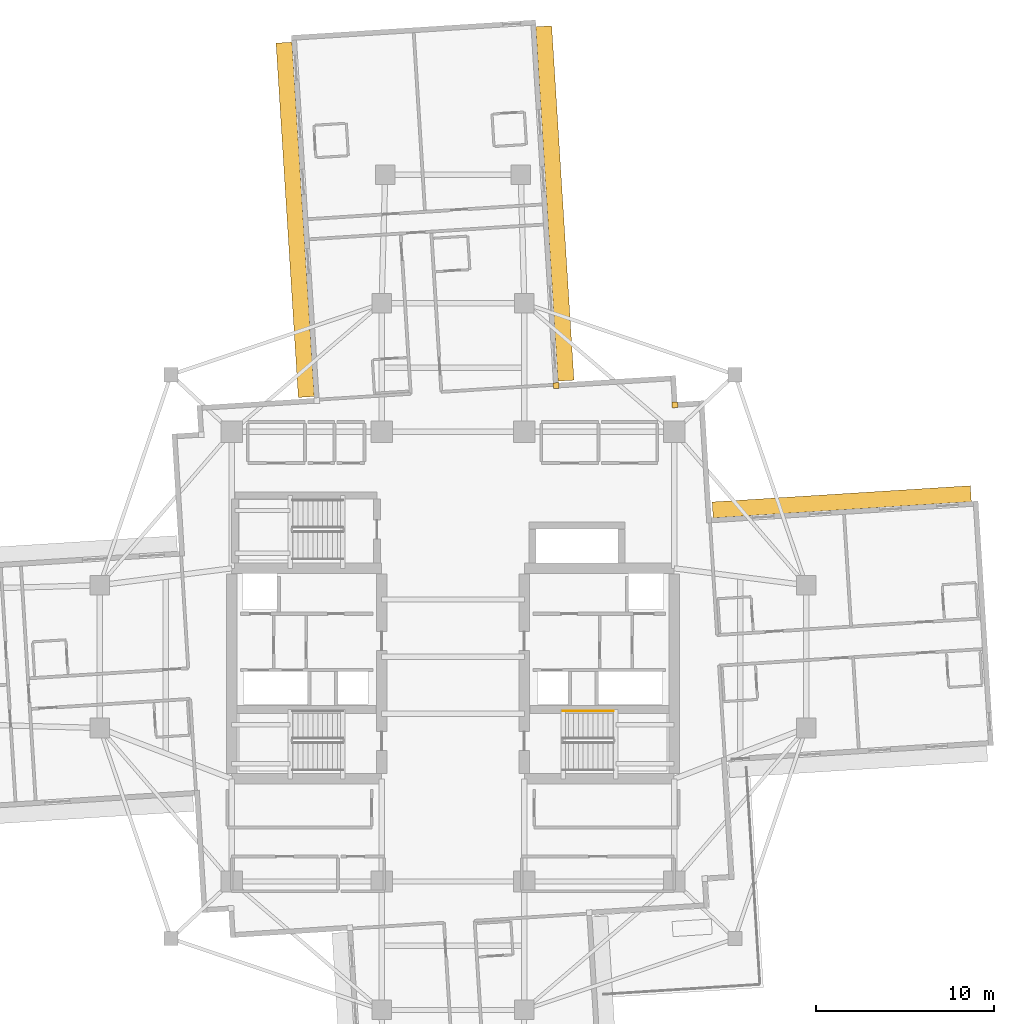
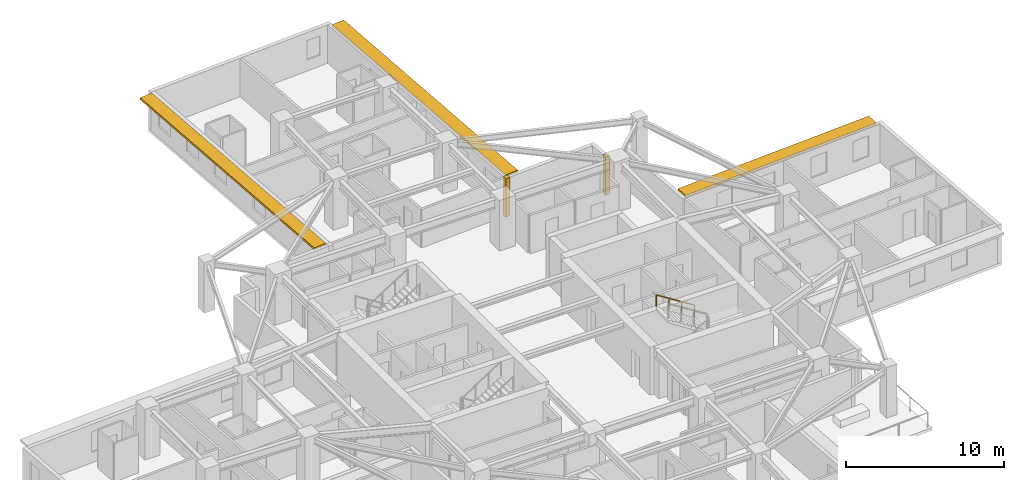
# One storey, part 14 of 14: 3 shading devices, 2 coverings, 1 railing.
"""IFC4 building model written with IfcOpenShell, lengths in metres."""

from ifc_helpers import new_model, si_unit, direction, frame, origin, origin_2d, place, context, subcontext, project, spatial, rectangle, circle, extrude, material, layer, layer_set, type_object, element, save


model = new_model("IFC4")

# Units and contexts
model_context = context("Model", 3, precision=1e-05, world=origin(), true_north=direction((0.0, 1.0)))
body_context = subcontext(model_context, "Body", "Model", "MODEL_VIEW")
ifc_project = project(units=[si_unit("LENGTHUNIT", "METRE"), si_unit("AREAUNIT", "SQUARE_METRE"), si_unit("VOLUMEUNIT", "CUBIC_METRE"), si_unit("PLANEANGLEUNIT", "RADIAN"), si_unit("MASSUNIT", "GRAM", prefix="KILO")], contexts=[model_context])

# Site, building, storey
site_placement = place(None, origin())
site = spatial("IfcSite", under=ifc_project, at=site_placement, CompositionType="ELEMENT")
building_placement = place(site_placement, origin())
building = spatial("IfcBuilding", under=site, at=building_placement, Name="Qingluan Cross Belvedere", CompositionType="ELEMENT")
storey_placement = place(building_placement, frame((0.0, 0.0, 120.300048828125)))
storey = spatial("IfcBuildingStorey", under=building, at=storey_placement, Name="L30", CompositionType="ELEMENT", Elevation=120.300048828125)

# Coverings
ifc_material_1 = material(Name="Precast concrete C45", Category="concrete")
ifc_layer_1 = layer(ifc_material_1, 0.1201171875, Name="ConcreteSpandrelCladding_120")
ifc_layer_set_1 = layer_set([ifc_layer_1], Name="Precast concrete C45")
covering_type = type_object("IfcCoveringType", Name="ConcreteSpandrelCladding_120", PredefinedType="CLADDING", material=ifc_layer_set_1)
for number, where, z_axis, x_axis, name in (
    (1, (12.438720703125, 14.10888671875, 0.0), (0.0, 0.0, 1.0), (0.998026728428, 0.062790519529, 0.0), "Corner closure L30-NE1"),
    (2, (5.77734375, 15.192626953125, 0.0), (0.0, 0.0, 1.0), (0.998026728428, 0.062790519529, 0.0), "Corner closure L30-NE2"),
):
    element("IfcCovering", number, at=place(storey_placement, frame(where, z_axis=z_axis, x_axis=x_axis)), inside=storey, type_object=covering_type, Name=name, PredefinedType="CLADDING", context=body_context, shape_type="SweptSolid", body=[
        extrude(rectangle(XDim=0.320068359375, YDim=0.320068359375, at=origin_2d()), origin(), (0.0, 0.0, 1.0), 2.969970703125),
    ])

# Shading devices
ifc_material_2 = material(Name="Precast concrete C45", Category="concrete")
ifc_layer_2 = layer(ifc_material_2, 0.159912109375, Name="ConcreteSunshadeBand_900")
ifc_layer_set_2 = layer_set([ifc_layer_2], Name="Precast concrete C45")
shading_device_type = type_object("IfcShadingDeviceType", Name="ConcreteSunshadeBand_900", PredefinedType="USERDEFINED", material=ifc_layer_set_2)
shading_device_placement = place(storey_placement, frame((21.788330078125, 8.67529296875, 2.7900390625), z_axis=(0.0, 0.0, 1.0), x_axis=(-0.99802639199, -0.062795866837, 0.0)))
element("IfcShadingDevice", 3, at=shading_device_placement, inside=storey, type_object=shading_device_type, Name="Concrete SUNSHADE L30-EB", ObjectType="SUNSHADE", PredefinedType="USERDEFINED", context=body_context, shape_type="SweptSolid", body=[
    extrude(rectangle(XDim=14.5, YDim=0.89990234375, at=origin_2d()), origin(), (0.0, 0.0, 1.0), 0.159912109375),
])
for number, where, z_axis, x_axis, name in (
    (4, (5.70654296875, 25.3984375, 2.7900390625), (0.0, 0.0, 1.0), (-0.062786203294, 0.998026999973, 0.0), "Concrete SUNSHADE L30-NA"),
    (5, (-8.8447265625, 24.48291015625, 2.7900390625), (0.0, 0.0, 1.0), (0.062791158819, -0.998026688207, 0.0), "Concrete SUNSHADE L30-NB"),
):
    element("IfcShadingDevice", number, at=place(storey_placement, frame(where, z_axis=z_axis, x_axis=x_axis)), inside=storey, type_object=shading_device_type, Name=name, ObjectType="SUNSHADE", PredefinedType="USERDEFINED", context=body_context, shape_type="SweptSolid", body=[
        extrude(rectangle(XDim=19.89990234375, YDim=0.89990234375, at=origin_2d()), origin(), (0.0, 0.0, 1.0), 0.159912109375),
    ])

# Railing
ifc_material_3 = material(Name="Brushed stainless steel tubular handrail", Category="steel")
railing_type = type_object("IfcRailingType", Name="StairPitchHandrail_900", PredefinedType="HANDRAIL", material=ifc_material_3)
railing_placement = place(storey_placement, frame((8.97998046875, -3.050048828125, 2.127197265625)))
element("IfcRailing", 6, at=railing_placement, inside=storey, type_object=railing_type, Name="L30 ST2 stair handrail 2", PredefinedType="HANDRAIL", context=body_context, shape_type="SweptSolid", body=[
    extrude(circle(Radius=0.02392578125, at=origin_2d()), frame((0.0, 0.0, 0.8759765625), z_axis=(-0.844908973607, 0.0, 0.534910110503), x_axis=(0.0, -1.0, 0.0)), (0.0, 0.0, 1.0), 3.31396484375),
    extrude(circle(Radius=0.02099609375, at=origin_2d()), origin(), (0.0, 0.0, 1.0), 0.851806640625),
    extrude(circle(Radius=0.02099609375, at=origin_2d()), frame((-0.933349609375, 0.0, 0.5908203125)), (0.0, 0.0, 1.0), 0.851806640625),
    extrude(circle(Radius=0.02099609375, at=origin_2d()), frame((-1.86669921875, 0.0, 1.181884765625)), (0.0, 0.0, 1.0), 0.851806640625),
    extrude(circle(Radius=0.02099609375, at=origin_2d()), frame((-2.800048828125, 0.0, 1.772705078125)), (0.0, 0.0, 1.0), 0.851806640625),
])

save(model, "model.ifc")
